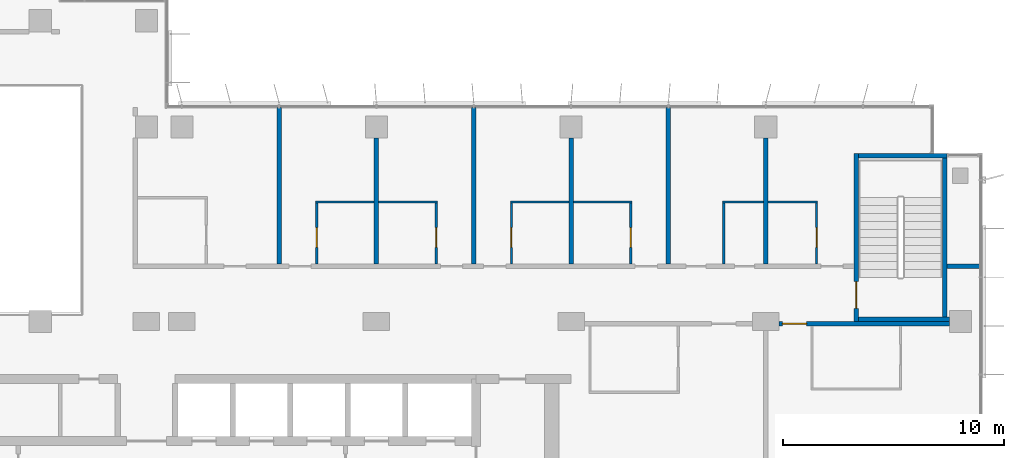
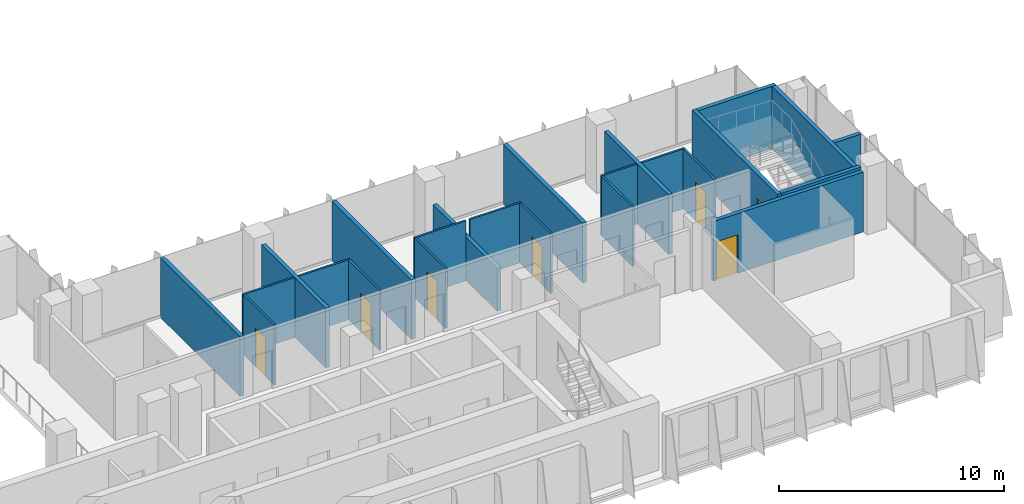
# One storey, part 15 of 21: 24 walls, 7 doors, 7 openings.
"""IFC4 building model written with IfcOpenShell, lengths in metres."""

from ifc_helpers import new_model, si_unit, direction, frame, frame_2d, origin, place, context, subcontext, project, spatial, rectangle, extrude, material, layer, layer_set, type_object, element, fill, save


model = new_model("IFC4")

# Units and contexts
model_context = context("Model", 3, precision=1e-05, world=origin(), true_north=direction((0.0, 1.0)))
body_context = subcontext(model_context, "Body", "Model", "MODEL_VIEW")
ifc_project = project(units=[si_unit("LENGTHUNIT", "METRE"), si_unit("AREAUNIT", "SQUARE_METRE"), si_unit("VOLUMEUNIT", "CUBIC_METRE"), si_unit("PLANEANGLEUNIT", "RADIAN"), si_unit("MASSUNIT", "GRAM", prefix="KILO")], contexts=[model_context])

# Site, building, storey
site_placement = place(None, origin())
site = spatial("IfcSite", under=ifc_project, at=site_placement, CompositionType="ELEMENT")
building_placement = place(site_placement, origin())
building = spatial("IfcBuilding", under=site, at=building_placement, Name="Kemantara Hotel Tower", CompositionType="ELEMENT")
storey_placement = place(building_placement, frame((0.0, 0.0, 219.10009765625)))
storey = spatial("IfcBuildingStorey", under=building, at=storey_placement, Name="L54", CompositionType="ELEMENT", Elevation=219.10009765625)

# Wall, opening, door
ifc_material_1 = material(Name="Gypsum board partition, steel studs and mineral wool, 200 mm", Category="steel")
ifc_layer_1 = layer(ifc_material_1, 0.199951171875)
ifc_layer_set_1 = layer_set([ifc_layer_1], Name="Gypsum board partition, steel studs and mineral wool, 200 mm")
wall_type_1 = type_object("IfcWallType", Name="CORRIDOR WALL 200", PredefinedType="PARTITIONING", material=ifc_layer_set_1)
wall_1_placement = place(storey_placement, frame((62.099853515625, 12.10009765625, 0.0), z_axis=(0.0, 0.0, 1.0), x_axis=(-1.0, 0.0, 0.0)))
wall_1 = element("IfcWall", 1, at=wall_1_placement, inside=storey, type_object=wall_type_1, Name="CORRIDOR WALL 200 002", PredefinedType="PARTITIONING", context=body_context, shape_type="SweptSolid", body=[
    extrude(rectangle(XDim=7.69970703125, YDim=0.199951171875, at=frame_2d((3.849853515625, 0.0))), origin(), (0.0, 0.0, 1.0), 3.25),
])
opening_1_placement = place(wall_1_placement, frame((6.449951171875, 0.0, 0.0)))
opening_1 = element("IfcOpeningElement", 2, at=opening_1_placement, cuts=wall_1, Name="Opening F26-003", PredefinedType="OPENING", context=body_context, shape_type="SweptSolid", body=[
    extrude(rectangle(XDim=1.10009765625, YDim=2.10009765625, at=frame_2d((0.550048828125, 1.050048828125))), frame((0.0, 0.10986328125, 0.0), z_axis=(0.0, -1.0, 0.0), x_axis=(1.0, 0.0, 0.0)), (0.0, 0.0, 1.0), 0.219970703125),
])
ifc_material_2 = material(Name="Hardwood veneer door leaf with steel frame", Category="steel")
door_type_1 = type_object("IfcDoorType", Name="SUITE ENTRANCE DOOR 1100 X 2100 FD30S", OperationType="NOTDEFINED", PredefinedType="DOOR", material=ifc_material_2)
door_1_placement = place(opening_1_placement, origin())
door_1 = element("IfcDoor", 3, at=door_1_placement, inside=storey, type_object=door_type_1, Name="SUITE ENTRANCE DOOR F26-003", OperationType="SINGLE_SWING_LEFT", OverallHeight=2.10009765625, OverallWidth=1.10009765625, PredefinedType="DOOR", context=body_context, shape_type="SweptSolid", body=[
    extrude(rectangle(XDim=1.10009765625, YDim=2.10009765625, at=frame_2d((0.550048828125, 1.050048828125))), frame((0.0, 0.02490234375, 0.0), z_axis=(0.0, -1.0, 0.0), x_axis=(1.0, 0.0, 0.0)), (0.0, 0.0, 1.0), 0.050048828125),
])
fill(opening_1, door_1)

# Wall
wall_2_placement = place(storey_placement, frame((62.0, 14.699951171875, 0.0), z_axis=(0.0, 0.0, 1.0), x_axis=(1.0, 0.0, 0.0)))
element("IfcWall", 4, at=wall_2_placement, inside=storey, type_object=wall_type_1, Name="CORRIDOR WALL 200 006", PredefinedType="PARTITIONING", context=body_context, shape_type="SweptSolid", body=[
    extrude(rectangle(XDim=1.47998046875, YDim=0.199951171875, at=frame_2d((0.739990234375, 0.0))), origin(), (0.0, 0.0, 1.0), 3.25),
])

# Wall, opening, door
ifc_material_3 = material(Name="Concrete fc 40 MPa", Category="concrete")
ifc_layer_2 = layer(ifc_material_3, 0.199951171875)
ifc_layer_set_2 = layer_set([ifc_layer_2], Name="Concrete fc 40 MPa")
wall_type_2 = type_object("IfcWallType", Name="Concrete stair wall 200 mm", PredefinedType="SHEAR", material=ifc_layer_set_2)
wall_3_placement = place(storey_placement, frame((57.89990234375, 12.199951171875, 0.0), z_axis=(0.0, 0.0, 1.0), x_axis=(0.0, 1.0, 0.0)))
wall_3 = element("IfcWall", 5, at=wall_3_placement, inside=storey, type_object=wall_type_2, Name="Stair ST3 enclosure wall with door", PredefinedType="SHEAR", context=body_context, shape_type="SweptSolid", body=[
    extrude(rectangle(XDim=7.60009765625, YDim=0.199951171875, at=frame_2d((3.800048828125, 0.0))), origin(), (0.0, 0.0, 1.0), 3.39990234375),
])
opening_2_placement = place(wall_3_placement, frame((0.60009765625, 0.0, 0.0)))
opening_2 = element("IfcOpeningElement", 6, at=opening_2_placement, cuts=wall_3, Name="Opening ST3-C", PredefinedType="OPENING", context=body_context, shape_type="SweptSolid", body=[
    extrude(rectangle(XDim=1.199951171875, YDim=2.10009765625, at=frame_2d((0.60009765625, 1.050048828125))), frame((0.0, 0.10986328125, 0.0), z_axis=(0.0, -1.0, 0.0), x_axis=(1.0, 0.0, 0.0)), (0.0, 0.0, 1.0), 0.219970703125),
])
ifc_material_4 = material(Name="Steel fire door", Category="steel")
door_type_2 = type_object("IfcDoorType", Name="Fire door FD90 1200 x 2100", OperationType="NOTDEFINED", PredefinedType="DOOR", material=ifc_material_4)
door_2_placement = place(opening_2_placement, frame((1.199951171875, 0.0, 0.0), z_axis=(0.0, 0.0, 1.0), x_axis=(-1.0, 0.0, 0.0)))
door_2 = element("IfcDoor", 7, at=door_2_placement, inside=storey, type_object=door_type_2, Name="Stair ST3 door", OperationType="SINGLE_SWING_RIGHT", OverallHeight=2.10009765625, OverallWidth=1.199951171875, PredefinedType="DOOR", context=body_context, shape_type="SweptSolid", body=[
    extrude(rectangle(XDim=1.199951171875, YDim=2.10009765625, at=frame_2d((0.60009765625, 1.050048828125))), frame((0.0, 0.02490234375, 0.0), z_axis=(0.0, -1.0, 0.0), x_axis=(1.0, 0.0, 0.0)), (0.0, 0.0, 1.0), 0.050048828125),
])
fill(opening_2, door_2)

# Walls
wall_4_placement = place(storey_placement, frame((58.0, 19.699951171875, 0.0), z_axis=(0.0, 0.0, 1.0), x_axis=(1.0, 0.0, 0.0)))
element("IfcWall", 8, at=wall_4_placement, inside=storey, type_object=wall_type_2, Name="Stair ST3 enclosure wall N", PredefinedType="SHEAR", context=body_context, shape_type="SweptSolid", body=[
    extrude(rectangle(XDim=4.0, YDim=0.199951171875, at=frame_2d((2.0, 0.0))), origin(), (0.0, 0.0, 1.0), 3.39990234375),
])
wall_5_placement = place(storey_placement, frame((58.0, 12.300048828125, 0.0), z_axis=(0.0, 0.0, 1.0), x_axis=(1.0, 0.0, 0.0)))
element("IfcWall", 9, at=wall_5_placement, inside=storey, type_object=wall_type_2, Name="Stair ST3 enclosure wall S", PredefinedType="SHEAR", context=body_context, shape_type="SweptSolid", body=[
    extrude(rectangle(XDim=4.10009765625, YDim=0.199951171875, at=frame_2d((2.050048828125, 0.0))), origin(), (0.0, 0.0, 1.0), 3.39990234375),
])
wall_6_placement = place(storey_placement, frame((61.89990234375, 12.39990234375, 0.0), z_axis=(0.0, 0.0, 1.0), x_axis=(0.0, 1.0, 0.0)))
element("IfcWall", 10, at=wall_6_placement, inside=storey, type_object=wall_type_2, Name="Stair ST3 enclosure wall E", PredefinedType="SHEAR", context=body_context, shape_type="SweptSolid", body=[
    extrude(rectangle(XDim=7.2001953125, YDim=0.199951171875, at=frame_2d((3.60009765625, 0.0))), origin(), (0.0, 0.0, 1.0), 3.39990234375),
])
ifc_layer_3 = layer(ifc_material_1, 0.199951171875)
ifc_layer_set_3 = layer_set([ifc_layer_3], Name="Gypsum board partition, steel studs and mineral wool, 200 mm")
wall_type_3 = type_object("IfcWallType", Name="GUEST ROOM PARTY WALL 200", PredefinedType="PARTITIONING", material=ifc_layer_set_3)
wall_7_placement = place(storey_placement, frame((53.800048828125, 14.800048828125, 0.0), z_axis=(0.0, 0.0, 1.0), x_axis=(0.0, 1.0, 0.0)))
element("IfcWall", 11, at=wall_7_placement, inside=storey, type_object=wall_type_3, Name="GUEST ROOM PARTY WALL 200 004", PredefinedType="PARTITIONING", context=body_context, shape_type="SweptSolid", body=[
    extrude(rectangle(XDim=5.699951171875, YDim=0.199951171875, at=frame_2d((2.85009765625, 0.0))), origin(), (0.0, 0.0, 1.0), 3.25),
])
wall_8_placement = place(storey_placement, frame((31.800048828125, 14.800048828125, 0.0), z_axis=(0.0, 0.0, 1.0), x_axis=(0.0, 1.0, 0.0)))
element("IfcWall", 12, at=wall_8_placement, inside=storey, type_object=wall_type_3, Name="GUEST ROOM PARTY WALL 200 009", PredefinedType="PARTITIONING", context=body_context, shape_type="SweptSolid", body=[
    extrude(rectangle(XDim=7.070068359375, YDim=0.199951171875, at=frame_2d((3.53515625, 0.0))), origin(), (0.0, 0.0, 1.0), 3.25),
])
wall_9_placement = place(storey_placement, frame((36.199951171875, 14.800048828125, 0.0), z_axis=(0.0, 0.0, 1.0), x_axis=(0.0, 1.0, 0.0)))
element("IfcWall", 13, at=wall_9_placement, inside=storey, type_object=wall_type_3, Name="GUEST ROOM PARTY WALL 200 010", PredefinedType="PARTITIONING", context=body_context, shape_type="SweptSolid", body=[
    extrude(rectangle(XDim=5.699951171875, YDim=0.199951171875, at=frame_2d((2.85009765625, 0.0))), origin(), (0.0, 0.0, 1.0), 3.25),
])
wall_10_placement = place(storey_placement, frame((40.60009765625, 14.800048828125, 0.0), z_axis=(0.0, 0.0, 1.0), x_axis=(0.0, 1.0, 0.0)))
element("IfcWall", 14, at=wall_10_placement, inside=storey, type_object=wall_type_3, Name="GUEST ROOM PARTY WALL 200 011", PredefinedType="PARTITIONING", context=body_context, shape_type="SweptSolid", body=[
    extrude(rectangle(XDim=7.070068359375, YDim=0.199951171875, at=frame_2d((3.53515625, 0.0))), origin(), (0.0, 0.0, 1.0), 3.25),
])
wall_11_placement = place(storey_placement, frame((45.0, 14.800048828125, 0.0), z_axis=(0.0, 0.0, 1.0), x_axis=(0.0, 1.0, 0.0)))
element("IfcWall", 15, at=wall_11_placement, inside=storey, type_object=wall_type_3, Name="GUEST ROOM PARTY WALL 200 012", PredefinedType="PARTITIONING", context=body_context, shape_type="SweptSolid", body=[
    extrude(rectangle(XDim=5.699951171875, YDim=0.199951171875, at=frame_2d((2.85009765625, 0.0))), origin(), (0.0, 0.0, 1.0), 2.349853515625),
])
wall_12_placement = place(storey_placement, frame((49.39990234375, 14.800048828125, 0.0), z_axis=(0.0, 0.0, 1.0), x_axis=(0.0, 1.0, 0.0)))
element("IfcWall", 16, at=wall_12_placement, inside=storey, type_object=wall_type_3, Name="GUEST ROOM PARTY WALL 200 013", PredefinedType="PARTITIONING", context=body_context, shape_type="SweptSolid", body=[
    extrude(rectangle(XDim=7.070068359375, YDim=0.199951171875, at=frame_2d((3.53515625, 0.0))), origin(), (0.0, 0.0, 1.0), 3.25),
])
ifc_material_5 = material(Name="Gypsum board partition on steel studs, 100 mm", Category="steel")
ifc_layer_4 = layer(ifc_material_5, 0.10009765625)
ifc_layer_set_4 = layer_set([ifc_layer_4], Name="Gypsum board partition on steel studs, 100 mm")
wall_type_4 = type_object("IfcWallType", Name="ROOM PARTITION 100", PredefinedType="PARTITIONING", material=ifc_layer_set_4)
wall_13_placement = place(storey_placement, frame((33.449951171875, 17.60009765625, 0.0), z_axis=(0.0, 0.0, 1.0), x_axis=(1.0, 0.0, 0.0)))
element("IfcWall", 17, at=wall_13_placement, inside=storey, type_object=wall_type_4, Name="ROOM PARTITION 100 042", PredefinedType="PARTITIONING", context=body_context, shape_type="SweptSolid", body=[
    extrude(rectangle(XDim=2.650146484375, YDim=0.10009765625, at=frame_2d((1.3251953125, 0.0))), origin(), (0.0, 0.0, 1.0), 3.25),
])
for number, where, z_axis, x_axis, name in (
    (18, (36.300048828125, 17.60009765625, 0.0), (0.0, 0.0, 1.0), (1.0, 0.0, 0.0), "ROOM PARTITION 100 043"),
    (19, (42.25, 17.60009765625, 0.0), (0.0, 0.0, 1.0), (1.0, 0.0, 0.0), "ROOM PARTITION 100 044"),
    (20, (45.10009765625, 17.60009765625, 0.0), (0.0, 0.0, 1.0), (1.0, 0.0, 0.0), "ROOM PARTITION 100 045"),
):
    element("IfcWall", number, at=place(storey_placement, frame(where, z_axis=z_axis, x_axis=x_axis)), inside=storey, type_object=wall_type_4, Name=name, PredefinedType="PARTITIONING", context=body_context, shape_type="SweptSolid", body=[
        extrude(rectangle(XDim=2.64990234375, YDim=0.10009765625, at=frame_2d((1.324951171875, 0.0))), origin(), (0.0, 0.0, 1.0), 3.25),
    ])
wall_14_placement = place(storey_placement, frame((51.85009765625, 17.60009765625, 0.0), z_axis=(0.0, 0.0, 1.0), x_axis=(1.0, 0.0, 0.0)))
element("IfcWall", 21, at=wall_14_placement, inside=storey, type_object=wall_type_4, Name="ROOM PARTITION 100 046", PredefinedType="PARTITIONING", context=body_context, shape_type="SweptSolid", body=[
    extrude(rectangle(XDim=1.849853515625, YDim=0.10009765625, at=frame_2d((0.9248046875, 0.0))), origin(), (0.0, 0.0, 1.0), 3.25),
])
wall_15_placement = place(storey_placement, frame((53.89990234375, 17.60009765625, 0.0), z_axis=(0.0, 0.0, 1.0), x_axis=(1.0, 0.0, 0.0)))
element("IfcWall", 22, at=wall_15_placement, inside=storey, type_object=wall_type_4, Name="ROOM PARTITION 100 047", PredefinedType="PARTITIONING", context=body_context, shape_type="SweptSolid", body=[
    extrude(rectangle(XDim=2.25, YDim=0.10009765625, at=frame_2d((1.125, 0.0))), origin(), (0.0, 0.0, 1.0), 3.25),
])

# Wall, opening, door
wall_16_placement = place(storey_placement, frame((33.5, 17.550048828125, 0.0), z_axis=(0.0, 0.0, 1.0), x_axis=(0.0, -1.0, 0.0)))
wall_16 = element("IfcWall", 23, at=wall_16_placement, inside=storey, type_object=wall_type_4, Name="ROOM PARTITION 100 048", PredefinedType="PARTITIONING", context=body_context, shape_type="SweptSolid", body=[
    extrude(rectangle(XDim=2.75, YDim=0.10009765625, at=frame_2d((1.375, 0.0))), origin(), (0.0, 0.0, 1.0), 3.25),
])
opening_3_placement = place(wall_16_placement, frame((1.10009765625, 0.0, 0.0)))
opening_3 = element("IfcOpeningElement", 24, at=opening_3_placement, cuts=wall_16, Name="Opening F26-008", PredefinedType="OPENING", context=body_context, shape_type="SweptSolid", body=[
    extrude(rectangle(XDim=0.89990234375, YDim=2.10009765625, at=frame_2d((0.449951171875, 1.050048828125))), frame((0.0, 0.06005859375, 0.0), z_axis=(0.0, -1.0, 0.0), x_axis=(1.0, 0.0, 0.0)), (0.0, 0.0, 1.0), 0.1201171875),
])
door_type_3 = type_object("IfcDoorType", Name="BATHROOM DOOR 900 X 2100", OperationType="NOTDEFINED", PredefinedType="DOOR", material=ifc_material_2)
door_3_placement = place(opening_3_placement, origin())
door_3 = element("IfcDoor", 25, at=door_3_placement, inside=storey, type_object=door_type_3, Name="BATHROOM DOOR F26-008", OperationType="SINGLE_SWING_RIGHT", OverallHeight=2.10009765625, OverallWidth=0.89990234375, PredefinedType="DOOR", context=body_context, shape_type="SweptSolid", body=[
    extrude(rectangle(XDim=0.89990234375, YDim=2.10009765625, at=frame_2d((0.449951171875, 1.050048828125))), frame((0.0, 0.02490234375, 0.0), z_axis=(0.0, -1.0, 0.0), x_axis=(1.0, 0.0, 0.0)), (0.0, 0.0, 1.0), 0.050048828125),
])
fill(opening_3, door_3)

wall_17_placement = place(storey_placement, frame((38.89990234375, 14.800048828125, 0.0), z_axis=(0.0, 0.0, 1.0), x_axis=(0.0, 1.0, 0.0)))
wall_17 = element("IfcWall", 26, at=wall_17_placement, inside=storey, type_object=wall_type_4, Name="ROOM PARTITION 100 049", PredefinedType="PARTITIONING", context=body_context, shape_type="SweptSolid", body=[
    extrude(rectangle(XDim=2.75, YDim=0.10009765625, at=frame_2d((1.375, 0.0))), origin(), (0.0, 0.0, 1.0), 3.25),
])
opening_4_placement = place(wall_17_placement, frame((0.75, 0.0, 0.0)))
opening_4 = element("IfcOpeningElement", 27, at=opening_4_placement, cuts=wall_17, Name="Opening F26-010", PredefinedType="OPENING", context=body_context, shape_type="SweptSolid", body=[
    extrude(rectangle(XDim=0.89990234375, YDim=2.10009765625, at=frame_2d((0.449951171875, 1.050048828125))), frame((0.0, 0.06005859375, 0.0), z_axis=(0.0, -1.0, 0.0), x_axis=(1.0, 0.0, 0.0)), (0.0, 0.0, 1.0), 0.1201171875),
])
door_4_placement = place(opening_4_placement, origin())
door_4 = element("IfcDoor", 28, at=door_4_placement, inside=storey, type_object=door_type_3, Name="BATHROOM DOOR F26-010", OperationType="SINGLE_SWING_LEFT", OverallHeight=2.10009765625, OverallWidth=0.89990234375, PredefinedType="DOOR", context=body_context, shape_type="SweptSolid", body=[
    extrude(rectangle(XDim=0.89990234375, YDim=2.10009765625, at=frame_2d((0.449951171875, 1.050048828125))), frame((0.0, 0.02490234375, 0.0), z_axis=(0.0, -1.0, 0.0), x_axis=(1.0, 0.0, 0.0)), (0.0, 0.0, 1.0), 0.050048828125),
])
fill(opening_4, door_4)

wall_18_placement = place(storey_placement, frame((42.300048828125, 17.550048828125, 0.0), z_axis=(0.0, 0.0, 1.0), x_axis=(0.0, -1.0, 0.0)))
wall_18 = element("IfcWall", 29, at=wall_18_placement, inside=storey, type_object=wall_type_4, Name="ROOM PARTITION 100 050", PredefinedType="PARTITIONING", context=body_context, shape_type="SweptSolid", body=[
    extrude(rectangle(XDim=2.75, YDim=0.10009765625, at=frame_2d((1.375, 0.0))), origin(), (0.0, 0.0, 1.0), 3.25),
])
opening_5_placement = place(wall_18_placement, frame((1.10009765625, 0.0, 0.0)))
opening_5 = element("IfcOpeningElement", 30, at=opening_5_placement, cuts=wall_18, Name="Opening F26-012", PredefinedType="OPENING", context=body_context, shape_type="SweptSolid", body=[
    extrude(rectangle(XDim=0.89990234375, YDim=2.10009765625, at=frame_2d((0.449951171875, 1.050048828125))), frame((0.0, 0.06005859375, 0.0), z_axis=(0.0, -1.0, 0.0), x_axis=(1.0, 0.0, 0.0)), (0.0, 0.0, 1.0), 0.1201171875),
])
door_5_placement = place(opening_5_placement, origin())
door_5 = element("IfcDoor", 31, at=door_5_placement, inside=storey, type_object=door_type_3, Name="BATHROOM DOOR F26-012", OperationType="SINGLE_SWING_RIGHT", OverallHeight=2.10009765625, OverallWidth=0.89990234375, PredefinedType="DOOR", context=body_context, shape_type="SweptSolid", body=[
    extrude(rectangle(XDim=0.89990234375, YDim=2.10009765625, at=frame_2d((0.449951171875, 1.050048828125))), frame((0.0, 0.02490234375, 0.0), z_axis=(0.0, -1.0, 0.0), x_axis=(1.0, 0.0, 0.0)), (0.0, 0.0, 1.0), 0.050048828125),
])
fill(opening_5, door_5)

wall_19_placement = place(storey_placement, frame((47.699951171875, 14.800048828125, 0.0), z_axis=(0.0, 0.0, 1.0), x_axis=(0.0, 1.0, 0.0)))
wall_19 = element("IfcWall", 32, at=wall_19_placement, inside=storey, type_object=wall_type_4, Name="ROOM PARTITION 100 051", PredefinedType="PARTITIONING", context=body_context, shape_type="SweptSolid", body=[
    extrude(rectangle(XDim=2.75, YDim=0.10009765625, at=frame_2d((1.375, 0.0))), origin(), (0.0, 0.0, 1.0), 3.25),
])
opening_6_placement = place(wall_19_placement, frame((0.75, 0.0, 0.0)))
opening_6 = element("IfcOpeningElement", 33, at=opening_6_placement, cuts=wall_19, Name="Opening F26-014", PredefinedType="OPENING", context=body_context, shape_type="SweptSolid", body=[
    extrude(rectangle(XDim=0.89990234375, YDim=2.10009765625, at=frame_2d((0.449951171875, 1.050048828125))), frame((0.0, 0.06005859375, 0.0), z_axis=(0.0, -1.0, 0.0), x_axis=(1.0, 0.0, 0.0)), (0.0, 0.0, 1.0), 0.1201171875),
])
door_6_placement = place(opening_6_placement, origin())
door_6 = element("IfcDoor", 34, at=door_6_placement, inside=storey, type_object=door_type_3, Name="BATHROOM DOOR F26-014", OperationType="SINGLE_SWING_LEFT", OverallHeight=2.10009765625, OverallWidth=0.89990234375, PredefinedType="DOOR", context=body_context, shape_type="SweptSolid", body=[
    extrude(rectangle(XDim=0.89990234375, YDim=2.10009765625, at=frame_2d((0.449951171875, 1.050048828125))), frame((0.0, 0.02490234375, 0.0), z_axis=(0.0, -1.0, 0.0), x_axis=(1.0, 0.0, 0.0)), (0.0, 0.0, 1.0), 0.050048828125),
])
fill(opening_6, door_6)

# Wall
wall_20_placement = place(storey_placement, frame((51.89990234375, 14.800048828125, 0.0), z_axis=(0.0, 0.0, 1.0), x_axis=(0.0, 1.0, 0.0)))
element("IfcWall", 35, at=wall_20_placement, inside=storey, type_object=wall_type_4, Name="ROOM PARTITION 100 052", PredefinedType="PARTITIONING", context=body_context, shape_type="SweptSolid", body=[
    extrude(rectangle(XDim=2.75, YDim=0.10009765625, at=frame_2d((1.375, 0.0))), origin(), (0.0, 0.0, 1.0), 3.25),
])

# Wall, opening, door
wall_21_placement = place(storey_placement, frame((56.10009765625, 14.800048828125, 0.0), z_axis=(0.0, 0.0, 1.0), x_axis=(0.0, 1.0, 0.0)))
wall_21 = element("IfcWall", 36, at=wall_21_placement, inside=storey, type_object=wall_type_4, Name="ROOM PARTITION 100 053", PredefinedType="PARTITIONING", context=body_context, shape_type="SweptSolid", body=[
    extrude(rectangle(XDim=2.75, YDim=0.10009765625, at=frame_2d((1.375, 0.0))), origin(), (0.0, 0.0, 1.0), 3.25),
])
opening_7_placement = place(wall_21_placement, frame((0.75, 0.0, 0.0)))
opening_7 = element("IfcOpeningElement", 37, at=opening_7_placement, cuts=wall_21, Name="Opening F26-018", PredefinedType="OPENING", context=body_context, shape_type="SweptSolid", body=[
    extrude(rectangle(XDim=0.89990234375, YDim=2.10009765625, at=frame_2d((0.449951171875, 1.050048828125))), frame((0.0, 0.06005859375, 0.0), z_axis=(0.0, -1.0, 0.0), x_axis=(1.0, 0.0, 0.0)), (0.0, 0.0, 1.0), 0.1201171875),
])
door_7_placement = place(opening_7_placement, origin())
door_7 = element("IfcDoor", 38, at=door_7_placement, inside=storey, type_object=door_type_3, Name="BATHROOM DOOR F26-018", OperationType="SINGLE_SWING_LEFT", OverallHeight=2.10009765625, OverallWidth=0.89990234375, PredefinedType="DOOR", context=body_context, shape_type="SweptSolid", body=[
    extrude(rectangle(XDim=0.89990234375, YDim=2.10009765625, at=frame_2d((0.449951171875, 1.050048828125))), frame((0.0, 0.02490234375, 0.0), z_axis=(0.0, -1.0, 0.0), x_axis=(1.0, 0.0, 0.0)), (0.0, 0.0, 1.0), 0.050048828125),
])
fill(opening_7, door_7)

save(model, "model.ifc")
